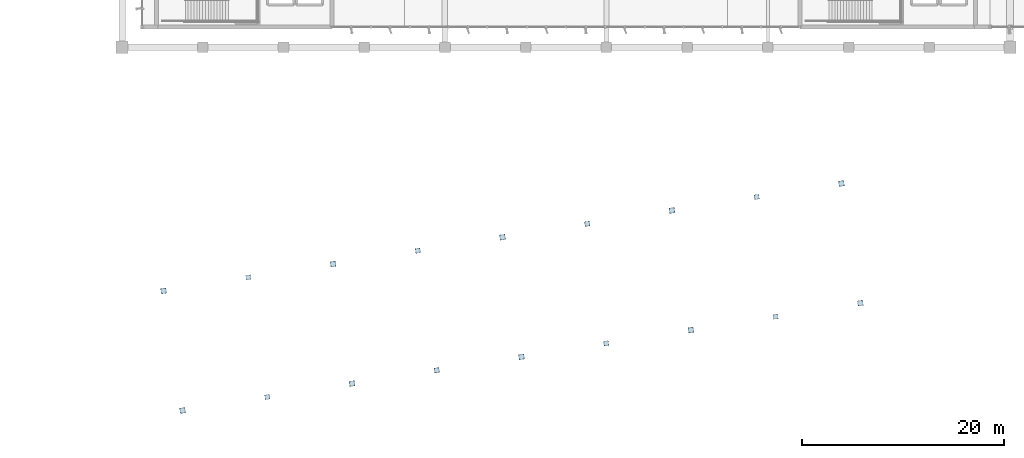
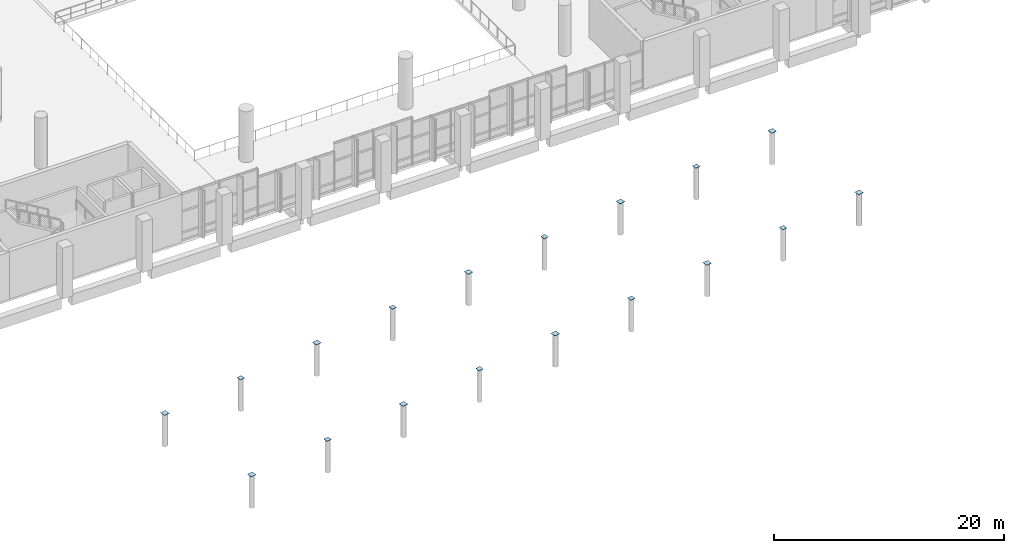
# One storey, part 137 of 176: 18 plates.
"""IFC4 building model written with IfcOpenShell, lengths in metres."""

from ifc_helpers import new_model, si_unit, direction, frame, origin, origin_2d, place, context, subcontext, project, spatial, rectangle, extrude, material, layer, layer_set, type_object, element, save


model = new_model("IFC4")

# Units and contexts
model_context = context("Model", 3, precision=1e-05, world=origin(), true_north=direction((0.0, 1.0)))
body_context = subcontext(model_context, "Body", "Model", "MODEL_VIEW")
ifc_project = project(units=[si_unit("LENGTHUNIT", "METRE"), si_unit("AREAUNIT", "SQUARE_METRE"), si_unit("VOLUMEUNIT", "CUBIC_METRE"), si_unit("PLANEANGLEUNIT", "RADIAN"), si_unit("MASSUNIT", "GRAM", prefix="KILO")], contexts=[model_context])

# Site, building, storey
site_placement = place(None, origin())
site = spatial("IfcSite", under=ifc_project, at=site_placement, CompositionType="ELEMENT")
building_placement = place(site_placement, origin())
building = spatial("IfcBuilding", under=site, at=building_placement, Name="Khorjan Park Terminus", CompositionType="ELEMENT")
storey_placement = place(building_placement, frame((0.0, 0.0, 6.0)))
storey = spatial("IfcBuildingStorey", under=building, at=storey_placement, Name="L01", CompositionType="ELEMENT", Elevation=6.0)

# Plates
ifc_material = material(Name="Steel S355", Category="steel")
ifc_layer = layer(ifc_material, 0.025)
ifc_layer_set = layer_set([ifc_layer], Name="Steel S355")
plate_type = type_object("IfcPlateType", Name="PT-GUSE-25", PredefinedType="SHEET", material=ifc_layer_set)
for number, where, z_axis, x_axis, name in (
    (1, (54.0, -10.0, 3.4), (0.0, 0.0, 1.0), (0.987688340595, 0.15643446504, 0.0), "Steel truss node cap plate NPE-25 (RC2-NP-V3-COL-S01)"),
    (2, (52.1228, 1.8523, 3.4), (0.0, 0.0, 1.0), (0.987688340595, 0.15643446504, 0.0), "Steel truss node cap plate NPE-25 (RC2-NP-V3-COL-N01)"),
):
    element("IfcPlate", number, at=place(storey_placement, frame(where, z_axis=z_axis, x_axis=x_axis)), inside=storey, type_object=plate_type, Name=name, PredefinedType="SHEET", context=body_context, shape_type="SweptSolid", body=[
        extrude(rectangle(XDim=0.54, YDim=0.54, at=origin_2d()), origin(), (0.0, 0.0, 1.0), 0.025),
    ])
for number, where, z_axis, x_axis, name in (
    (3, (62.3954, -8.6703, 3.4), (0.0, 0.0, 1.0), (0.987688340595, 0.15643446504, 0.0), "Steel truss node cap plate NPE-25 (RC2-NP-V3-COL-S02)"),
    (4, (60.5181, 3.182, 3.4), (0.0, 0.0, 1.0), (0.987688340595, 0.15643446504, 0.0), "Steel truss node cap plate NPE-25 (RC2-NP-V3-COL-N02)"),
):
    element("IfcPlate", number, at=place(storey_placement, frame(where, z_axis=z_axis, x_axis=x_axis)), inside=storey, type_object=plate_type, Name=name, PredefinedType="SHEET", context=body_context, shape_type="SweptSolid", body=[
        extrude(rectangle(XDim=0.48, YDim=0.48, at=origin_2d()), origin(), (0.0, 0.0, 1.0), 0.025),
    ])
for number, where, z_axis, x_axis, name in (
    (5, (70.7907, -7.3406, 3.4), (0.0, 0.0, 1.0), (0.987688340595, 0.15643446504, 0.0), "Steel truss node cap plate NPE-25 (RC2-NP-V3-COL-S03)"),
    (6, (68.9135, 4.5116, 3.4), (0.0, 0.0, 1.0), (0.987688340595, 0.15643446504, 0.0), "Steel truss node cap plate NPE-25 (RC2-NP-V3-COL-N03)"),
):
    element("IfcPlate", number, at=place(storey_placement, frame(where, z_axis=z_axis, x_axis=x_axis)), inside=storey, type_object=plate_type, Name=name, PredefinedType="SHEET", context=body_context, shape_type="SweptSolid", body=[
        extrude(rectangle(XDim=0.54, YDim=0.54, at=origin_2d()), origin(), (0.0, 0.0, 1.0), 0.025),
    ])
for number, where, z_axis, x_axis, name in (
    (7, (79.1861, -6.0109, 3.4), (0.0, 0.0, 1.0), (0.987688340595, 0.15643446504, 0.0), "Steel truss node cap plate NPE-25 (RC2-NP-V3-COL-S04)"),
    (8, (77.3088, 5.8413, 3.4), (0.0, 0.0, 1.0), (0.987688340595, 0.15643446504, 0.0), "Steel truss node cap plate NPE-25 (RC2-NP-V3-COL-N04)"),
):
    element("IfcPlate", number, at=place(storey_placement, frame(where, z_axis=z_axis, x_axis=x_axis)), inside=storey, type_object=plate_type, Name=name, PredefinedType="SHEET", context=body_context, shape_type="SweptSolid", body=[
        extrude(rectangle(XDim=0.48, YDim=0.48, at=origin_2d()), origin(), (0.0, 0.0, 1.0), 0.025),
    ])
for number, where, z_axis, x_axis, name in (
    (9, (87.5814, -4.6812, 3.4), (0.0, 0.0, 1.0), (0.987688340595, 0.15643446504, 0.0), "Steel truss node cap plate NPE-25 (RC2-NP-V3-COL-S05)"),
    (10, (85.7042, 7.171, 3.4), (0.0, 0.0, 1.0), (0.987688340595, 0.15643446504, 0.0), "Steel truss node cap plate NPE-25 (RC2-NP-V3-COL-N05)"),
):
    element("IfcPlate", number, at=place(storey_placement, frame(where, z_axis=z_axis, x_axis=x_axis)), inside=storey, type_object=plate_type, Name=name, PredefinedType="SHEET", context=body_context, shape_type="SweptSolid", body=[
        extrude(rectangle(XDim=0.54, YDim=0.54, at=origin_2d()), origin(), (0.0, 0.0, 1.0), 0.025),
    ])
for number, where, z_axis, x_axis, name in (
    (11, (95.9768, -3.3515, 3.4), (0.0, 0.0, 1.0), (0.987688340595, 0.15643446504, 0.0), "Steel truss node cap plate NPE-25 (RC2-NP-V3-COL-S06)"),
    (12, (94.0995, 8.5007, 3.4), (0.0, 0.0, 1.0), (0.987688340595, 0.15643446504, 0.0), "Steel truss node cap plate NPE-25 (RC2-NP-V3-COL-N06)"),
):
    element("IfcPlate", number, at=place(storey_placement, frame(where, z_axis=z_axis, x_axis=x_axis)), inside=storey, type_object=plate_type, Name=name, PredefinedType="SHEET", context=body_context, shape_type="SweptSolid", body=[
        extrude(rectangle(XDim=0.48, YDim=0.48, at=origin_2d()), origin(), (0.0, 0.0, 1.0), 0.025),
    ])
for number, where, z_axis, x_axis, name in (
    (13, (104.3721, -2.0218, 3.4), (0.0, 0.0, 1.0), (0.987688340595, 0.15643446504, 0.0), "Steel truss node cap plate NPE-25 (RC2-NP-V3-COL-S07)"),
    (14, (102.4949, 9.8304, 3.4), (0.0, 0.0, 1.0), (0.987688340595, 0.15643446504, 0.0), "Steel truss node cap plate NPE-25 (RC2-NP-V3-COL-N07)"),
):
    element("IfcPlate", number, at=place(storey_placement, frame(where, z_axis=z_axis, x_axis=x_axis)), inside=storey, type_object=plate_type, Name=name, PredefinedType="SHEET", context=body_context, shape_type="SweptSolid", body=[
        extrude(rectangle(XDim=0.54, YDim=0.54, at=origin_2d()), origin(), (0.0, 0.0, 1.0), 0.025),
    ])
for number, where, z_axis, x_axis, name in (
    (15, (112.7675, -0.6921, 3.4), (0.0, 0.0, 1.0), (0.987688340595, 0.15643446504, 0.0), "Steel truss node cap plate NPE-25 (RC2-NP-V3-COL-S08)"),
    (16, (110.8902, 11.1601, 3.4), (0.0, 0.0, 1.0), (0.987688340595, 0.15643446504, 0.0), "Steel truss node cap plate NPE-25 (RC2-NP-V3-COL-N08)"),
):
    element("IfcPlate", number, at=place(storey_placement, frame(where, z_axis=z_axis, x_axis=x_axis)), inside=storey, type_object=plate_type, Name=name, PredefinedType="SHEET", context=body_context, shape_type="SweptSolid", body=[
        extrude(rectangle(XDim=0.48, YDim=0.48, at=origin_2d()), origin(), (0.0, 0.0, 1.0), 0.025),
    ])
for number, where, z_axis, x_axis, name in (
    (17, (121.1628, 0.6375, 3.4), (0.0, 0.0, 1.0), (0.987688340595, 0.15643446504, 0.0), "Steel truss node cap plate NPE-25 (RC2-NP-V3-COL-S09)"),
    (18, (119.2856, 12.4898, 3.4), (0.0, 0.0, 1.0), (0.987688340595, 0.15643446504, 0.0), "Steel truss node cap plate NPE-25 (RC2-NP-V3-COL-N09)"),
):
    element("IfcPlate", number, at=place(storey_placement, frame(where, z_axis=z_axis, x_axis=x_axis)), inside=storey, type_object=plate_type, Name=name, PredefinedType="SHEET", context=body_context, shape_type="SweptSolid", body=[
        extrude(rectangle(XDim=0.54, YDim=0.54, at=origin_2d()), origin(), (0.0, 0.0, 1.0), 0.025),
    ])

save(model, "model.ifc")
